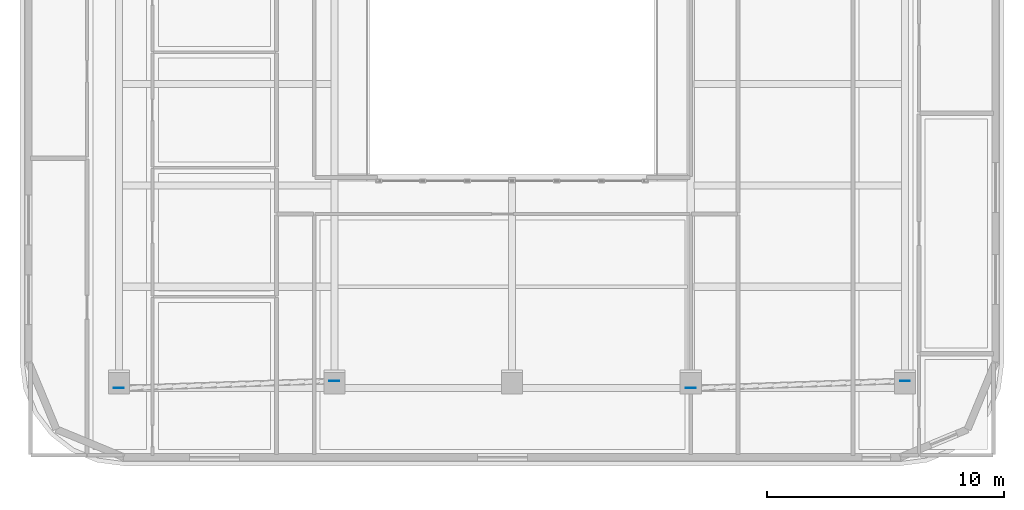
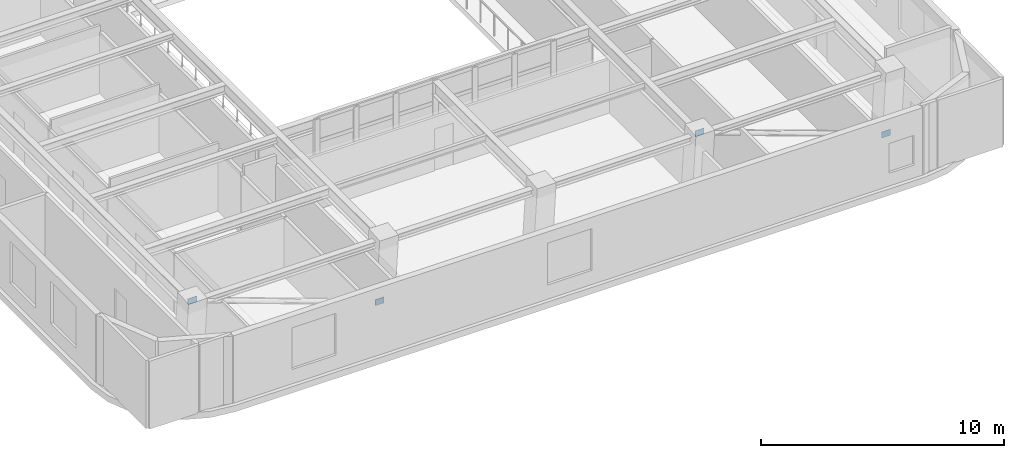
# One storey, part 5 of 12: 4 plates.
"""IFC4 building model written with IfcOpenShell, lengths in metres."""

from ifc_helpers import new_model, si_unit, direction, frame, origin, origin_2d, place, context, subcontext, project, spatial, rectangle, extrude, material, layer, layer_set, type_object, element, save


model = new_model("IFC4")

# Units and contexts
model_context = context("Model", 3, precision=1e-05, world=origin(), true_north=direction((0.0, 1.0)))
body_context = subcontext(model_context, "Body", "Model", "MODEL_VIEW")
ifc_project = project(units=[si_unit("LENGTHUNIT", "METRE"), si_unit("AREAUNIT", "SQUARE_METRE"), si_unit("VOLUMEUNIT", "CUBIC_METRE"), si_unit("PLANEANGLEUNIT", "RADIAN"), si_unit("MASSUNIT", "GRAM", prefix="KILO")], contexts=[model_context])

# Site, building, storey
site_placement = place(None, origin())
site = spatial("IfcSite", under=ifc_project, at=site_placement, CompositionType="ELEMENT")
building_placement = place(site_placement, origin())
building = spatial("IfcBuilding", under=site, at=building_placement, Name="Zarnavel Station Tower", CompositionType="ELEMENT")
storey_placement = place(building_placement, frame((0.0, 0.0, 269.5)))
storey = spatial("IfcBuildingStorey", under=building, at=storey_placement, Name="L73", CompositionType="ELEMENT", Elevation=269.5)

# Plates
ifc_material = material(Name="Steel S460M", Category="steel")
ifc_layer = layer(ifc_material, 0.02490234375)
ifc_layer_set = layer_set([ifc_layer], Name="GP_GUSSET_25")
plate_type = type_object("IfcPlateType", Name="GP_GUSSET_25", PredefinedType="USERDEFINED", material=ifc_layer_set)
for number, where, z_axis, x_axis, name in (
    (1, (21.300048828125, 1.805908203125, -0.14990234375), (0.0, 0.0, 1.0), (1.0, 0.0, 0.0), "L73 Exterior Diagonal Brace End Gusset 1-1"),
    (2, (12.199951171875, 1.49609375, 3.27001953125), (0.0, 0.0, 1.0), (1.0, 0.0, 0.0), "L73 Exterior Diagonal Brace End Gusset 1-2"),
    (3, (45.39990234375, 1.805908203125, -0.14990234375), (0.0, 0.0, 1.0), (1.0, 0.0, 0.0), "L73 Exterior Diagonal Brace End Gusset 2-1"),
    (4, (36.35009765625, 1.49609375, 3.27001953125), (0.0, 0.0, 1.0), (1.0, 0.0, 0.0), "L73 Exterior Diagonal Brace End Gusset 2-2"),
):
    element("IfcPlate", number, at=place(storey_placement, frame(where, z_axis=z_axis, x_axis=x_axis)), inside=storey, type_object=plate_type, Name=name, ObjectType="GUSSET_PLATE", PredefinedType="USERDEFINED", context=body_context, shape_type="SweptSolid", body=[
        extrude(rectangle(XDim=0.419921875, YDim=0.02490234375, at=origin_2d()), origin(), (0.0, 0.0, 1.0), 0.300048828125),
    ])

save(model, "model.ifc")
